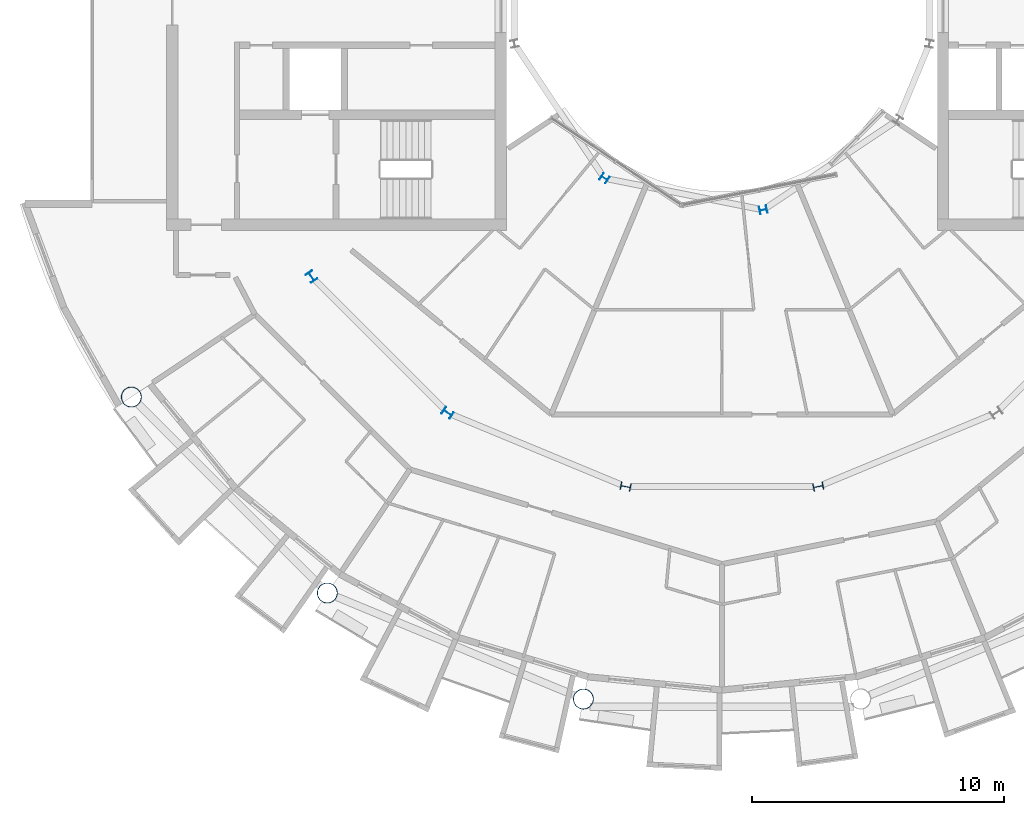
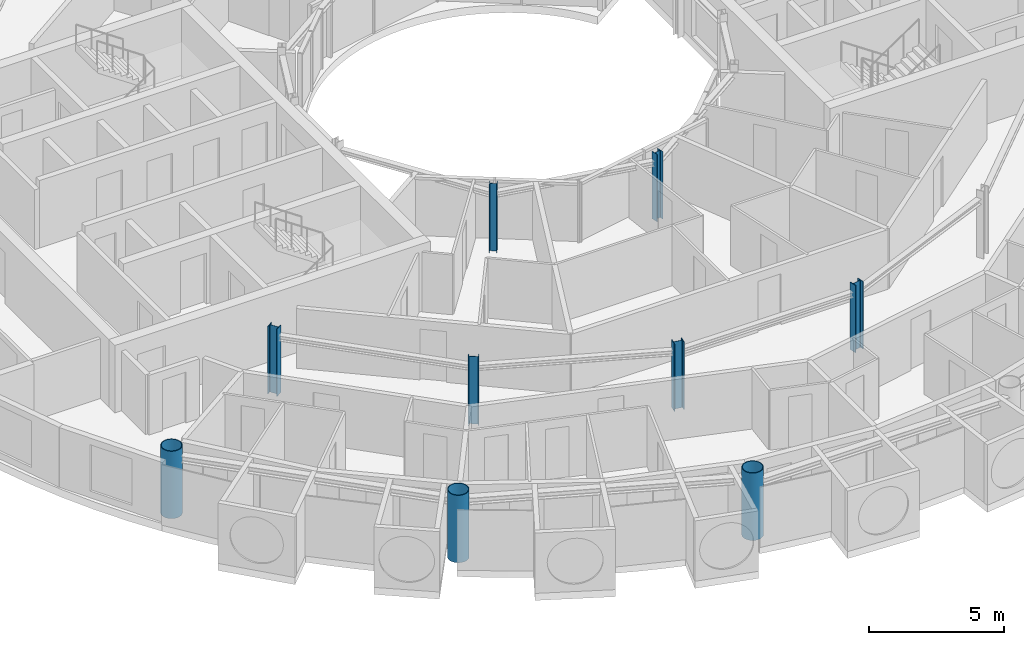
# One storey, part 1 of 28: 9 columns.
"""IFC4 building model written with IfcOpenShell, lengths in metres."""

import ifcopenshell
import ifcopenshell.guid

model = None  # the IFC model being written
_history = None  # IfcOwnerHistory: only IFC2X3 demands one
_inside = {}  # id of a spatial element -> (the spatial element, [elements in it])
_under = {}  # id of a project, library or spatial element -> (it, [spatial elements below it])
_declared = {}  # id of a project -> (the project, [libraries it declares])
_typed = {}  # id of a type object -> (the type object, [elements of that type])
_made_of = {}  # id of a material, layer set ... -> (it, [elements and type objects made of it])


def new_model(schema):
    """Start an empty IFC model of exactly this schema.

    Asked for "IFC4X3", IfcOpenShell would pick the latest addendum, in which some entities
    have other attributes; the version numbers below select the first issue.
    IFC2X3 requires an IfcOwnerHistory on every rooted entity: one is made here for all.
    """
    global model, _history
    if schema == "IFC4X3":
        model = ifcopenshell.file(schema_version=(4, 3, 0, 0))
    else:
        model = ifcopenshell.file(schema=schema)
    _inside.clear()
    _under.clear()
    _declared.clear()
    _typed.clear()
    _made_of.clear()
    _history = None
    if model.schema == "IFC2X3":
        org = make("IfcOrganization", Name="unknown")
        user = make(
            "IfcPersonAndOrganization",
            ThePerson=make("IfcPerson", FamilyName="unknown"),
            TheOrganization=org,
        )
        app = make(
            "IfcApplication",
            ApplicationDeveloper=org,
            Version="unknown",
            ApplicationFullName="unknown",
            ApplicationIdentifier="unknown",
        )
        _history = make(
            "IfcOwnerHistory",
            OwningUser=user,
            OwningApplication=app,
            ChangeAction="ADDED",
            CreationDate=0,
        )
    return model


def make(cls, **values):
    """One entity of the class cls with the attributes given. An attribute that is None is left unset."""
    return model.create_entity(
        cls, **{name: value for name, value in values.items() if value is not None}
    )


def rooted(cls, **values):
    """An entity with a GlobalId (a new one), such as an element, a storey or a relation."""
    return make(cls, GlobalId=ifcopenshell.guid.new(), OwnerHistory=_history, **values)


def si_unit(unit_type, name, prefix=None):
    """IfcSIUnit, for example si_unit("LENGTHUNIT", "METRE", prefix="MILLI")."""
    return make("IfcSIUnit", UnitType=unit_type, Prefix=prefix, Name=name)


def assignment(units):
    """IfcUnitAssignment: the units of a project."""
    return None if units is None else make("IfcUnitAssignment", Units=units)


def point(xyz):
    """IfcCartesianPoint."""
    return None if xyz is None else make("IfcCartesianPoint", Coordinates=xyz)


def direction(xyz):
    """IfcDirection."""
    return None if xyz is None else make("IfcDirection", DirectionRatios=xyz)


def frame(location, z_axis=None, x_axis=None):
    """IfcAxis2Placement3D, a coordinate frame: its origin and axes. An axis left out is left unset."""
    return make(
        "IfcAxis2Placement3D",
        Location=point(location),
        Axis=direction(z_axis),
        RefDirection=direction(x_axis),
    )


def frame_2d(location, x_axis=None):
    """IfcAxis2Placement2D, a coordinate frame in the plane: its origin and x axis."""
    return make(
        "IfcAxis2Placement2D", Location=point(location), RefDirection=direction(x_axis)
    )


def origin():
    """The frame at (0, 0, 0) with its axes left unset."""
    return frame((0.0, 0.0, 0.0))


def origin_2d():
    """The frame at (0, 0) in the plane with its x axis left unset."""
    return frame_2d((0.0, 0.0))


def place(relative_to, where):
    """IfcLocalPlacement: puts the frame where relative to a parent placement (None: the world)."""
    return make(
        "IfcLocalPlacement", PlacementRelTo=relative_to, RelativePlacement=where
    )


def context(
    kind, dimensions, precision=None, world=None, true_north=None, identifier=None
):
    """IfcGeometricRepresentationContext, for example the 3D "Model" context."""
    return make(
        "IfcGeometricRepresentationContext",
        ContextIdentifier=identifier,
        ContextType=kind,
        CoordinateSpaceDimension=dimensions,
        Precision=precision,
        WorldCoordinateSystem=world,
        TrueNorth=true_north,
    )


def subcontext(parent, identifier, kind, view, scale=None):
    """IfcGeometricRepresentationSubContext, for example "Body" below "Model"."""
    return make(
        "IfcGeometricRepresentationSubContext",
        ContextIdentifier=identifier,
        ContextType=kind,
        ParentContext=parent,
        TargetScale=scale,
        TargetView=view,
    )


def project(units=None, contexts=None):
    """IfcProject with its units and contexts."""
    return rooted(
        "IfcProject",
        Name="project",
        RepresentationContexts=contexts,
        UnitsInContext=assignment(units),
    )


def spatial(cls, under=None, at=None, **own):
    """A site, building, storey or space (cls), placed at a placement, below another one or the project."""
    s = rooted(cls, ObjectPlacement=at, **own)
    if under is not None:
        _under.setdefault(under.id(), (under, []))[1].append(s)
    return s


def profile(cls, at=None, kind="AREA", **sizes):
    """A parametric profile (cls). Its sizes go by their IFC names, for example OverallWidth=200.0."""
    return make(cls, ProfileType=kind, Position=at, **sizes)


def hollow_circle(**sizes):
    """IfcCircleHollowProfileDef."""
    return profile("IfcCircleHollowProfileDef", **sizes)


def i_section(**sizes):
    """IfcIShapeProfileDef."""
    return profile("IfcIShapeProfileDef", **sizes)


def extrude(swept, where, along, depth):
    """IfcExtrudedAreaSolid: the profile swept, set in the frame where, extruded along a direction by depth."""
    return make(
        "IfcExtrudedAreaSolid",
        SweptArea=swept,
        Position=where,
        ExtrudedDirection=direction(along),
        Depth=depth,
    )


def shape(context_of_items, identifier, shape_type, items):
    """IfcShapeRepresentation: the items that make up one representation, for example the "Body"."""
    return make(
        "IfcShapeRepresentation",
        ContextOfItems=context_of_items,
        RepresentationIdentifier=identifier,
        RepresentationType=shape_type,
        Items=items,
    )


def material(Name=None, Category=None):
    """IfcMaterial."""
    return make("IfcMaterial", Name=Name, Category=Category)


def material_profile(
    of_material, cross_section, Name=None, Category=None, Priority=None
):
    """IfcMaterialProfile: a cross section and its material."""
    return make(
        "IfcMaterialProfile",
        Name=Name,
        Material=of_material,
        Profile=cross_section,
        Priority=Priority,
        Category=Category,
    )


def profile_set(profiles, Name=None, composite=None):
    """IfcMaterialProfileSet."""
    return make(
        "IfcMaterialProfileSet",
        Name=Name,
        MaterialProfiles=profiles,
        CompositeProfile=composite,
    )


def made_of(thing, what):
    """Note that an element or type object is made of a material, layer set ...; save() writes the relation."""
    if what is not None:
        _made_of.setdefault(what.id(), (what, []))[1].append(thing)
    return thing


def type_object(cls, material=None, **own):
    """A type object (cls), such as IfcWallType, which elements share."""
    return made_of(rooted(cls, **own), material)


def element(
    cls,
    number,
    at=None,
    inside=None,
    cuts=None,
    type_object=None,
    material=None,
    context=None,
    identifier="Body",
    shape_type=None,
    held_by="IfcProductDefinitionShape",
    body=None,
    shapes=None,
    **own,
):
    """One element of the class cls, such as IfcWall. Its Tag is "e" and its number.

    at: its placement. inside: the storey or other place that contains it. cuts: it is an
    opening in that element (IfcRelVoidsElement). A single representation is given by context,
    identifier, shape_type and body (its items); several are given by shapes. held_by: the class
    of the entity that holds the representations. save() writes the other relations.
    """
    e = rooted(cls, Tag="e%d" % number, ObjectPlacement=at, **own)
    if body is not None:
        shapes = [shape(context, identifier, shape_type, body)]
    if shapes is not None:
        e.Representation = make(held_by, Representations=shapes)
    if inside is not None:
        _inside.setdefault(inside.id(), (inside, []))[1].append(e)
    if cuts is not None:
        rooted(
            "IfcRelVoidsElement", RelatingBuildingElement=cuts, RelatedOpeningElement=e
        )
    if type_object is not None:
        _typed.setdefault(type_object.id(), (type_object, []))[1].append(e)
    return made_of(e, material)


def aggregate(whole, parts):
    """IfcRelAggregates: a whole, such as a stair, and the parts it consists of."""
    return rooted("IfcRelAggregates", RelatingObject=whole, RelatedObjects=parts)


def save(model, path):
    """Write the relations noted so far, then the file.

    IfcRelAggregates (storeys below a building ...), IfcRelContainedInSpatialStructure (elements
    in a storey), IfcRelDefinesByType, IfcRelAssociatesMaterial and IfcRelDeclares: one each for
    every whole, place, type object, material and project.
    """
    for whole, parts in _under.values():
        aggregate(whole, parts)
    for where, things in _inside.values():
        rooted(
            "IfcRelContainedInSpatialStructure",
            RelatedElements=things,
            RelatingStructure=where,
        )
    for kind, things in _typed.values():
        rooted("IfcRelDefinesByType", RelatedObjects=things, RelatingType=kind)
    for what, things in _made_of.values():
        rooted("IfcRelAssociatesMaterial", RelatedObjects=things, RelatingMaterial=what)
    for by, libraries in _declared.values():
        rooted("IfcRelDeclares", RelatingContext=by, RelatedDefinitions=libraries)
    model.write(path)


model = new_model("IFC4")

# Units and contexts
model_context = context("Model", 3, precision=1e-05, world=origin(), true_north=direction((0.0, 1.0)))
body_context = subcontext(model_context, "Body", "Model", "MODEL_VIEW")
ifc_project = project(units=[si_unit("LENGTHUNIT", "METRE"), si_unit("AREAUNIT", "SQUARE_METRE"), si_unit("VOLUMEUNIT", "CUBIC_METRE"), si_unit("PLANEANGLEUNIT", "RADIAN"), si_unit("MASSUNIT", "GRAM", prefix="KILO")], contexts=[model_context])

# Site, building, storey
site_placement = place(None, origin())
site = spatial("IfcSite", under=ifc_project, at=site_placement, CompositionType="ELEMENT")
building_placement = place(site_placement, origin())
building = spatial("IfcBuilding", under=site, at=building_placement, Name="Maasbend Ring Residences", CompositionType="ELEMENT")
storey_placement = place(building_placement, frame((0.0, 0.0, 196.300048828125)))
storey = spatial("IfcBuildingStorey", under=building, at=storey_placement, Name="L56", CompositionType="ELEMENT", Elevation=196.300048828125)

# Columns
ifc_material_1 = material(Name="Composite concrete-filled steel tube S460NH / C80/95", Category="concrete")
ifc_material_profile_1 = material_profile(ifc_material_1, hollow_circle(Radius=0.406494140625, WallThickness=0.030029296875, at=origin_2d()), Name="Composite tube column CHS 813x30")
ifc_profile_set_1 = profile_set([ifc_material_profile_1], Name="Composite concrete-filled steel tube S460NH / C80/95")
column_type_1 = type_object("IfcColumnType", Name="Composite tube column CHS 813x30", PredefinedType="COLUMN", material=ifc_profile_set_1)
for number, where, z_axis, x_axis, name in (
    (1, (-23.447509765625, -15.6669921875, 0.0), (0.0, 0.0, 1.0), (1.0, 0.0, 0.0), "Outer column R10"),
    (2, (-15.6669921875, -23.447509765625, 0.0), (0.0, 0.0, 1.0), (1.0, 0.0, 0.0), "Outer column R11"),
    (3, (-5.50146484375, -27.658203125, 0.0), (0.0, 0.0, 1.0), (1.0, 0.0, 0.0), "Outer column R12"),
):
    element("IfcColumn", number, at=place(storey_placement, frame(where, z_axis=z_axis, x_axis=x_axis)), inside=storey, type_object=column_type_1, Name=name, PredefinedType="COLUMN", context=body_context, shape_type="SweptSolid", body=[
        extrude(hollow_circle(Radius=0.406494140625, WallThickness=0.030029296875, at=origin_2d()), origin(), (0.0, 0.0, 1.0), 3.050048828125),
    ])
ifc_material_2 = material(Name="Steel S355J2", Category="steel")
ifc_material_profile_2 = material_profile(ifc_material_2, i_section(OverallWidth=0.300048828125, OverallDepth=0.2900390625, WebThickness=0.008544921875, FlangeThickness=0.013916015625, FilletRadius=0.027099609375, at=origin_2d()), Name="HEA 300")
ifc_profile_set_2 = profile_set([ifc_material_profile_2], Name="Steel S355J2")
column_type_2 = type_object("IfcColumnType", Name="Steel column HEA 300", PredefinedType="COLUMN", material=ifc_profile_set_2)
for number, where, z_axis, x_axis, name in (
    (4, (-4.666748046875, -6.984375, 0.0), (0.0, 0.0, 1.0), (-0.55557023302, -0.831469612303, 0.0), "Well ring column R11"),
    (5, (1.638916015625, -8.238525390625, 0.0), (0.0, 0.0, 1.0), (0.195090322016, -0.980785280403, 0.0), "Well ring column R13"),
):
    element("IfcColumn", number, at=place(storey_placement, frame(where, z_axis=z_axis, x_axis=x_axis)), inside=storey, type_object=column_type_2, Name=name, PredefinedType="COLUMN", context=body_context, shape_type="SweptSolid", body=[
        extrude(i_section(OverallWidth=0.300048828125, OverallDepth=0.2900390625, WebThickness=0.008544921875, FlangeThickness=0.013916015625, FilletRadius=0.027099609375, at=origin_2d()), origin(), (0.0, 0.0, 1.0), 3.050048828125),
    ])
ifc_material_3 = material(Name="Steel S355J2", Category="steel")
ifc_material_profile_3 = material_profile(ifc_material_3, i_section(OverallWidth=0.300048828125, OverallDepth=0.39990234375, WebThickness=0.013427734375, FlangeThickness=0.02392578125, FilletRadius=0.027099609375, at=origin_2d()), Name="HEB 400")
ifc_profile_set_3 = profile_set([ifc_material_profile_3], Name="Steel S355J2")
column_type_3 = type_object("IfcColumnType", Name="Steel column HEB 400", PredefinedType="COLUMN", material=ifc_profile_set_3)
for number, where, z_axis, x_axis, name in (
    (6, (-16.296875, -10.88916015625, 0.0), (0.0, 0.0, 1.0), (-0.831469612303, -0.55557023302, 0.0), "Corridor ring column R10"),
    (7, (-10.88916015625, -16.296875, 0.0), (0.0, 0.0, 1.0), (-0.55557023302, -0.831469612303, 0.0), "Corridor ring column R11"),
    (8, (-3.82373046875, -19.223388671875, 0.0), (0.0, 0.0, 1.0), (-0.195090322016, -0.980785280403, 0.0), "Corridor ring column R12"),
    (9, (3.82373046875, -19.223388671875, 0.0), (0.0, 0.0, 1.0), (0.195090322016, -0.980785280403, 0.0), "Corridor ring column R13"),
):
    element("IfcColumn", number, at=place(storey_placement, frame(where, z_axis=z_axis, x_axis=x_axis)), inside=storey, type_object=column_type_3, Name=name, PredefinedType="COLUMN", context=body_context, shape_type="SweptSolid", body=[
        extrude(i_section(OverallWidth=0.300048828125, OverallDepth=0.39990234375, WebThickness=0.013427734375, FlangeThickness=0.02392578125, FilletRadius=0.027099609375, at=origin_2d()), origin(), (0.0, 0.0, 1.0), 3.050048828125),
    ])

save(model, "model.ifc")
